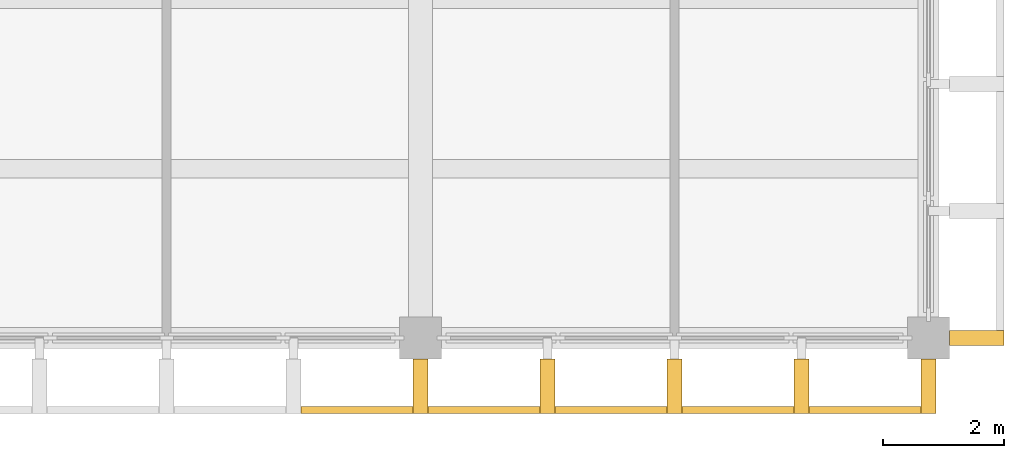
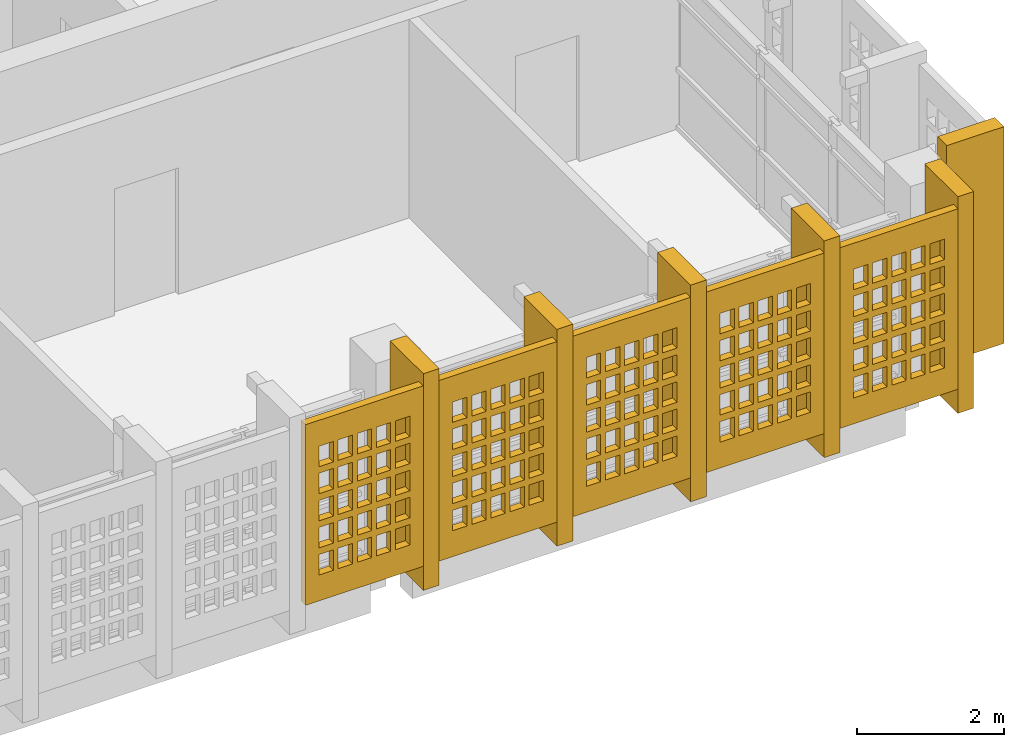
# One storey, part 8 of 13: 11 shading devices, 5 openings.
"""IFC4 building model written with IfcOpenShell, lengths in metres."""

from ifc_helpers import new_model, si_unit, direction, frame, origin, origin_2d, place, context, subcontext, project, spatial, rectangle, extrude, material, layer, layer_set, material_profile, profile_set, type_object, element, save


model = new_model("IFC4")

# Units and contexts
model_context = context("Model", 3, precision=1e-05, world=origin(), true_north=direction((0.0, 1.0)))
body_context = subcontext(model_context, "Body", "Model", "MODEL_VIEW")
ifc_project = project(units=[si_unit("LENGTHUNIT", "METRE"), si_unit("AREAUNIT", "SQUARE_METRE"), si_unit("VOLUMEUNIT", "CUBIC_METRE"), si_unit("PLANEANGLEUNIT", "RADIAN"), si_unit("MASSUNIT", "GRAM", prefix="KILO")], contexts=[model_context])

# Site, building, storey
site_placement = place(None, origin())
site = spatial("IfcSite", under=ifc_project, at=site_placement, CompositionType="ELEMENT")
building_placement = place(site_placement, origin())
building = spatial("IfcBuilding", under=site, at=building_placement, Name="Rulbaag Community and Learning Centre", CompositionType="ELEMENT")
storey_placement = place(building_placement, frame((0.0, 0.0, 54.0)))
storey = spatial("IfcBuildingStorey", under=building, at=storey_placement, Name="L14", CompositionType="ELEMENT", Elevation=54.0)

# Shading devices
ifc_material = material(Name="Concrete M40", Category="concrete")
ifc_material_profile = material_profile(ifc_material, rectangle(XDim=0.25, YDim=0.89990234375, at=origin_2d()), Name="PC 250x900")
ifc_profile_set = profile_set([ifc_material_profile], Name="Concrete M40")
shading_device_type_1 = type_object("IfcShadingDeviceType", Name="FIN-H", PredefinedType="JALOUSIE", material=ifc_profile_set)
for number, where, z_axis, x_axis, name in (
    (1, (159.60009765625, 83.199951171875, 0.0), (0.0, 0.0, 1.0), (1.0, 0.0, 0.0), "Precast fin"),
    (2, (161.699951171875, 83.199951171875, 0.0), (0.0, 0.0, 1.0), (1.0, 0.0, 0.0), "Precast fin"),
    (3, (163.800048828125, 83.199951171875, 0.0), (0.0, 0.0, 1.0), (1.0, 0.0, 0.0), "Precast fin"),
    (4, (165.89990234375, 83.199951171875, 0.0), (0.0, 0.0, 1.0), (1.0, 0.0, 0.0), "Precast fin"),
    (5, (168.0, 83.199951171875, 0.0), (0.0, 0.0, 1.0), (1.0, 0.0, 0.0), "Precast fin"),
    (6, (168.800048828125, 84.0, 0.0), (0.0, 0.0, 1.0), (0.0, 1.0, 0.0), "Precast fin"),
):
    element("IfcShadingDevice", number, at=place(storey_placement, frame(where, z_axis=z_axis, x_axis=x_axis)), inside=storey, type_object=shading_device_type_1, Name=name, PredefinedType="JALOUSIE", context=body_context, shape_type="SweptSolid", body=[
        extrude(rectangle(XDim=0.25, YDim=0.89990234375, at=origin_2d()), origin(), (0.0, 0.0, 1.0), 3.60009765625),
    ])

# Shading device, opening
ifc_layer = layer(ifc_material, 0.1201171875)
ifc_layer_set = layer_set([ifc_layer], Name="JB-83")
shading_device_type_2 = type_object("IfcShadingDeviceType", Name="JB-83", PredefinedType="SHUTTER", material=ifc_layer_set)
shading_device_1_placement = place(storey_placement, frame((158.550048828125, 82.81005859375, 0.39990234375), z_axis=(0.0, 0.0, 1.0), x_axis=(1.0, 0.0, 0.0)))
shading_device_1 = element("IfcShadingDevice", 7, at=shading_device_1_placement, inside=storey, type_object=shading_device_type_2, Name="Jaali screen", PredefinedType="SHUTTER", context=body_context, shape_type="SweptSolid", body=[
    extrude(rectangle(XDim=1.85009765625, YDim=0.1201171875, at=origin_2d()), origin(), (0.0, 0.0, 1.0), 3.0),
])
opening_1_placement = place(shading_device_1_placement, origin())
element("IfcOpeningElement", 8, at=opening_1_placement, cuts=shading_device_1, Name="Perforation JB1", PredefinedType="OPENING", context=body_context, shape_type="SweptSolid", body=[
    extrude(rectangle(XDim=0.22509765625, YDim=0.340087890625, at=origin_2d()), frame((-0.60009765625, -0.070068359375, 0.60009765625), z_axis=(0.0, 1.0, 0.0), x_axis=(1.0, 0.0, 0.0)), (0.0, 0.0, 1.0), 0.139892578125),
    extrude(rectangle(XDim=0.22509765625, YDim=0.340087890625, at=origin_2d()), frame((-0.300048828125, -0.070068359375, 0.60009765625), z_axis=(0.0, 1.0, 0.0), x_axis=(1.0, 0.0, 0.0)), (0.0, 0.0, 1.0), 0.139892578125),
    extrude(rectangle(XDim=0.22509765625, YDim=0.340087890625, at=origin_2d()), frame((0.0, -0.070068359375, 0.60009765625), z_axis=(0.0, 1.0, 0.0), x_axis=(1.0, 0.0, 0.0)), (0.0, 0.0, 1.0), 0.139892578125),
    extrude(rectangle(XDim=0.22509765625, YDim=0.340087890625, at=origin_2d()), frame((0.300048828125, -0.070068359375, 0.60009765625), z_axis=(0.0, 1.0, 0.0), x_axis=(1.0, 0.0, 0.0)), (0.0, 0.0, 1.0), 0.139892578125),
    extrude(rectangle(XDim=0.22509765625, YDim=0.340087890625, at=origin_2d()), frame((0.60009765625, -0.070068359375, 0.60009765625), z_axis=(0.0, 1.0, 0.0), x_axis=(1.0, 0.0, 0.0)), (0.0, 0.0, 1.0), 0.139892578125),
    extrude(rectangle(XDim=0.22509765625, YDim=0.340087890625, at=origin_2d()), frame((-0.60009765625, -0.070068359375, 1.050048828125), z_axis=(0.0, 1.0, 0.0), x_axis=(1.0, 0.0, 0.0)), (0.0, 0.0, 1.0), 0.139892578125),
    extrude(rectangle(XDim=0.22509765625, YDim=0.340087890625, at=origin_2d()), frame((-0.300048828125, -0.070068359375, 1.050048828125), z_axis=(0.0, 1.0, 0.0), x_axis=(1.0, 0.0, 0.0)), (0.0, 0.0, 1.0), 0.139892578125),
    extrude(rectangle(XDim=0.22509765625, YDim=0.340087890625, at=origin_2d()), frame((0.0, -0.070068359375, 1.050048828125), z_axis=(0.0, 1.0, 0.0), x_axis=(1.0, 0.0, 0.0)), (0.0, 0.0, 1.0), 0.139892578125),
    extrude(rectangle(XDim=0.22509765625, YDim=0.340087890625, at=origin_2d()), frame((0.300048828125, -0.070068359375, 1.050048828125), z_axis=(0.0, 1.0, 0.0), x_axis=(1.0, 0.0, 0.0)), (0.0, 0.0, 1.0), 0.139892578125),
    extrude(rectangle(XDim=0.22509765625, YDim=0.340087890625, at=origin_2d()), frame((0.60009765625, -0.070068359375, 1.050048828125), z_axis=(0.0, 1.0, 0.0), x_axis=(1.0, 0.0, 0.0)), (0.0, 0.0, 1.0), 0.139892578125),
    extrude(rectangle(XDim=0.22509765625, YDim=0.340087890625, at=origin_2d()), frame((-0.60009765625, -0.070068359375, 1.5), z_axis=(0.0, 1.0, 0.0), x_axis=(1.0, 0.0, 0.0)), (0.0, 0.0, 1.0), 0.139892578125),
    extrude(rectangle(XDim=0.22509765625, YDim=0.340087890625, at=origin_2d()), frame((-0.300048828125, -0.070068359375, 1.5), z_axis=(0.0, 1.0, 0.0), x_axis=(1.0, 0.0, 0.0)), (0.0, 0.0, 1.0), 0.139892578125),
    extrude(rectangle(XDim=0.22509765625, YDim=0.340087890625, at=origin_2d()), frame((0.0, -0.070068359375, 1.5), z_axis=(0.0, 1.0, 0.0), x_axis=(1.0, 0.0, 0.0)), (0.0, 0.0, 1.0), 0.139892578125),
    extrude(rectangle(XDim=0.22509765625, YDim=0.340087890625, at=origin_2d()), frame((0.300048828125, -0.070068359375, 1.5), z_axis=(0.0, 1.0, 0.0), x_axis=(1.0, 0.0, 0.0)), (0.0, 0.0, 1.0), 0.139892578125),
    extrude(rectangle(XDim=0.22509765625, YDim=0.340087890625, at=origin_2d()), frame((0.60009765625, -0.070068359375, 1.5), z_axis=(0.0, 1.0, 0.0), x_axis=(1.0, 0.0, 0.0)), (0.0, 0.0, 1.0), 0.139892578125),
    extrude(rectangle(XDim=0.22509765625, YDim=0.340087890625, at=origin_2d()), frame((-0.60009765625, -0.070068359375, 1.949951171875), z_axis=(0.0, 1.0, 0.0), x_axis=(1.0, 0.0, 0.0)), (0.0, 0.0, 1.0), 0.139892578125),
    extrude(rectangle(XDim=0.22509765625, YDim=0.340087890625, at=origin_2d()), frame((-0.300048828125, -0.070068359375, 1.949951171875), z_axis=(0.0, 1.0, 0.0), x_axis=(1.0, 0.0, 0.0)), (0.0, 0.0, 1.0), 0.139892578125),
    extrude(rectangle(XDim=0.22509765625, YDim=0.340087890625, at=origin_2d()), frame((0.0, -0.070068359375, 1.949951171875), z_axis=(0.0, 1.0, 0.0), x_axis=(1.0, 0.0, 0.0)), (0.0, 0.0, 1.0), 0.139892578125),
    extrude(rectangle(XDim=0.22509765625, YDim=0.340087890625, at=origin_2d()), frame((0.300048828125, -0.070068359375, 1.949951171875), z_axis=(0.0, 1.0, 0.0), x_axis=(1.0, 0.0, 0.0)), (0.0, 0.0, 1.0), 0.139892578125),
    extrude(rectangle(XDim=0.22509765625, YDim=0.340087890625, at=origin_2d()), frame((0.60009765625, -0.070068359375, 1.949951171875), z_axis=(0.0, 1.0, 0.0), x_axis=(1.0, 0.0, 0.0)), (0.0, 0.0, 1.0), 0.139892578125),
    extrude(rectangle(XDim=0.22509765625, YDim=0.340087890625, at=origin_2d()), frame((-0.60009765625, -0.070068359375, 2.39990234375), z_axis=(0.0, 1.0, 0.0), x_axis=(1.0, 0.0, 0.0)), (0.0, 0.0, 1.0), 0.139892578125),
    extrude(rectangle(XDim=0.22509765625, YDim=0.340087890625, at=origin_2d()), frame((-0.300048828125, -0.070068359375, 2.39990234375), z_axis=(0.0, 1.0, 0.0), x_axis=(1.0, 0.0, 0.0)), (0.0, 0.0, 1.0), 0.139892578125),
    extrude(rectangle(XDim=0.22509765625, YDim=0.340087890625, at=origin_2d()), frame((0.0, -0.070068359375, 2.39990234375), z_axis=(0.0, 1.0, 0.0), x_axis=(1.0, 0.0, 0.0)), (0.0, 0.0, 1.0), 0.139892578125),
    extrude(rectangle(XDim=0.22509765625, YDim=0.340087890625, at=origin_2d()), frame((0.300048828125, -0.070068359375, 2.39990234375), z_axis=(0.0, 1.0, 0.0), x_axis=(1.0, 0.0, 0.0)), (0.0, 0.0, 1.0), 0.139892578125),
    extrude(rectangle(XDim=0.22509765625, YDim=0.340087890625, at=origin_2d()), frame((0.60009765625, -0.070068359375, 2.39990234375), z_axis=(0.0, 1.0, 0.0), x_axis=(1.0, 0.0, 0.0)), (0.0, 0.0, 1.0), 0.139892578125),
])

shading_device_2_placement = place(storey_placement, frame((160.64990234375, 82.81005859375, 0.39990234375), z_axis=(0.0, 0.0, 1.0), x_axis=(1.0, 0.0, 0.0)))
shading_device_2 = element("IfcShadingDevice", 9, at=shading_device_2_placement, inside=storey, type_object=shading_device_type_2, Name="Jaali screen", PredefinedType="SHUTTER", context=body_context, shape_type="SweptSolid", body=[
    extrude(rectangle(XDim=1.85009765625, YDim=0.1201171875, at=origin_2d()), origin(), (0.0, 0.0, 1.0), 3.0),
])
opening_2_placement = place(shading_device_2_placement, origin())
element("IfcOpeningElement", 10, at=opening_2_placement, cuts=shading_device_2, Name="Perforation JB1", PredefinedType="OPENING", context=body_context, shape_type="SweptSolid", body=[
    extrude(rectangle(XDim=0.22509765625, YDim=0.340087890625, at=origin_2d()), frame((-0.60009765625, -0.070068359375, 0.60009765625), z_axis=(0.0, 1.0, 0.0), x_axis=(1.0, 0.0, 0.0)), (0.0, 0.0, 1.0), 0.139892578125),
    extrude(rectangle(XDim=0.22509765625, YDim=0.340087890625, at=origin_2d()), frame((-0.300048828125, -0.070068359375, 0.60009765625), z_axis=(0.0, 1.0, 0.0), x_axis=(1.0, 0.0, 0.0)), (0.0, 0.0, 1.0), 0.139892578125),
    extrude(rectangle(XDim=0.22509765625, YDim=0.340087890625, at=origin_2d()), frame((0.0, -0.070068359375, 0.60009765625), z_axis=(0.0, 1.0, 0.0), x_axis=(1.0, 0.0, 0.0)), (0.0, 0.0, 1.0), 0.139892578125),
    extrude(rectangle(XDim=0.22509765625, YDim=0.340087890625, at=origin_2d()), frame((0.300048828125, -0.070068359375, 0.60009765625), z_axis=(0.0, 1.0, 0.0), x_axis=(1.0, 0.0, 0.0)), (0.0, 0.0, 1.0), 0.139892578125),
    extrude(rectangle(XDim=0.22509765625, YDim=0.340087890625, at=origin_2d()), frame((0.60009765625, -0.070068359375, 0.60009765625), z_axis=(0.0, 1.0, 0.0), x_axis=(1.0, 0.0, 0.0)), (0.0, 0.0, 1.0), 0.139892578125),
    extrude(rectangle(XDim=0.22509765625, YDim=0.340087890625, at=origin_2d()), frame((-0.60009765625, -0.070068359375, 1.050048828125), z_axis=(0.0, 1.0, 0.0), x_axis=(1.0, 0.0, 0.0)), (0.0, 0.0, 1.0), 0.139892578125),
    extrude(rectangle(XDim=0.22509765625, YDim=0.340087890625, at=origin_2d()), frame((-0.300048828125, -0.070068359375, 1.050048828125), z_axis=(0.0, 1.0, 0.0), x_axis=(1.0, 0.0, 0.0)), (0.0, 0.0, 1.0), 0.139892578125),
    extrude(rectangle(XDim=0.22509765625, YDim=0.340087890625, at=origin_2d()), frame((0.0, -0.070068359375, 1.050048828125), z_axis=(0.0, 1.0, 0.0), x_axis=(1.0, 0.0, 0.0)), (0.0, 0.0, 1.0), 0.139892578125),
    extrude(rectangle(XDim=0.22509765625, YDim=0.340087890625, at=origin_2d()), frame((0.300048828125, -0.070068359375, 1.050048828125), z_axis=(0.0, 1.0, 0.0), x_axis=(1.0, 0.0, 0.0)), (0.0, 0.0, 1.0), 0.139892578125),
    extrude(rectangle(XDim=0.22509765625, YDim=0.340087890625, at=origin_2d()), frame((0.60009765625, -0.070068359375, 1.050048828125), z_axis=(0.0, 1.0, 0.0), x_axis=(1.0, 0.0, 0.0)), (0.0, 0.0, 1.0), 0.139892578125),
    extrude(rectangle(XDim=0.22509765625, YDim=0.340087890625, at=origin_2d()), frame((-0.60009765625, -0.070068359375, 1.5), z_axis=(0.0, 1.0, 0.0), x_axis=(1.0, 0.0, 0.0)), (0.0, 0.0, 1.0), 0.139892578125),
    extrude(rectangle(XDim=0.22509765625, YDim=0.340087890625, at=origin_2d()), frame((-0.300048828125, -0.070068359375, 1.5), z_axis=(0.0, 1.0, 0.0), x_axis=(1.0, 0.0, 0.0)), (0.0, 0.0, 1.0), 0.139892578125),
    extrude(rectangle(XDim=0.22509765625, YDim=0.340087890625, at=origin_2d()), frame((0.0, -0.070068359375, 1.5), z_axis=(0.0, 1.0, 0.0), x_axis=(1.0, 0.0, 0.0)), (0.0, 0.0, 1.0), 0.139892578125),
    extrude(rectangle(XDim=0.22509765625, YDim=0.340087890625, at=origin_2d()), frame((0.300048828125, -0.070068359375, 1.5), z_axis=(0.0, 1.0, 0.0), x_axis=(1.0, 0.0, 0.0)), (0.0, 0.0, 1.0), 0.139892578125),
    extrude(rectangle(XDim=0.22509765625, YDim=0.340087890625, at=origin_2d()), frame((0.60009765625, -0.070068359375, 1.5), z_axis=(0.0, 1.0, 0.0), x_axis=(1.0, 0.0, 0.0)), (0.0, 0.0, 1.0), 0.139892578125),
    extrude(rectangle(XDim=0.22509765625, YDim=0.340087890625, at=origin_2d()), frame((-0.60009765625, -0.070068359375, 1.949951171875), z_axis=(0.0, 1.0, 0.0), x_axis=(1.0, 0.0, 0.0)), (0.0, 0.0, 1.0), 0.139892578125),
    extrude(rectangle(XDim=0.22509765625, YDim=0.340087890625, at=origin_2d()), frame((-0.300048828125, -0.070068359375, 1.949951171875), z_axis=(0.0, 1.0, 0.0), x_axis=(1.0, 0.0, 0.0)), (0.0, 0.0, 1.0), 0.139892578125),
    extrude(rectangle(XDim=0.22509765625, YDim=0.340087890625, at=origin_2d()), frame((0.0, -0.070068359375, 1.949951171875), z_axis=(0.0, 1.0, 0.0), x_axis=(1.0, 0.0, 0.0)), (0.0, 0.0, 1.0), 0.139892578125),
    extrude(rectangle(XDim=0.22509765625, YDim=0.340087890625, at=origin_2d()), frame((0.300048828125, -0.070068359375, 1.949951171875), z_axis=(0.0, 1.0, 0.0), x_axis=(1.0, 0.0, 0.0)), (0.0, 0.0, 1.0), 0.139892578125),
    extrude(rectangle(XDim=0.22509765625, YDim=0.340087890625, at=origin_2d()), frame((0.60009765625, -0.070068359375, 1.949951171875), z_axis=(0.0, 1.0, 0.0), x_axis=(1.0, 0.0, 0.0)), (0.0, 0.0, 1.0), 0.139892578125),
    extrude(rectangle(XDim=0.22509765625, YDim=0.340087890625, at=origin_2d()), frame((-0.60009765625, -0.070068359375, 2.39990234375), z_axis=(0.0, 1.0, 0.0), x_axis=(1.0, 0.0, 0.0)), (0.0, 0.0, 1.0), 0.139892578125),
    extrude(rectangle(XDim=0.22509765625, YDim=0.340087890625, at=origin_2d()), frame((-0.300048828125, -0.070068359375, 2.39990234375), z_axis=(0.0, 1.0, 0.0), x_axis=(1.0, 0.0, 0.0)), (0.0, 0.0, 1.0), 0.139892578125),
    extrude(rectangle(XDim=0.22509765625, YDim=0.340087890625, at=origin_2d()), frame((0.0, -0.070068359375, 2.39990234375), z_axis=(0.0, 1.0, 0.0), x_axis=(1.0, 0.0, 0.0)), (0.0, 0.0, 1.0), 0.139892578125),
    extrude(rectangle(XDim=0.22509765625, YDim=0.340087890625, at=origin_2d()), frame((0.300048828125, -0.070068359375, 2.39990234375), z_axis=(0.0, 1.0, 0.0), x_axis=(1.0, 0.0, 0.0)), (0.0, 0.0, 1.0), 0.139892578125),
    extrude(rectangle(XDim=0.22509765625, YDim=0.340087890625, at=origin_2d()), frame((0.60009765625, -0.070068359375, 2.39990234375), z_axis=(0.0, 1.0, 0.0), x_axis=(1.0, 0.0, 0.0)), (0.0, 0.0, 1.0), 0.139892578125),
])

shading_device_3_placement = place(storey_placement, frame((162.75, 82.81005859375, 0.39990234375), z_axis=(0.0, 0.0, 1.0), x_axis=(1.0, 0.0, 0.0)))
shading_device_3 = element("IfcShadingDevice", 11, at=shading_device_3_placement, inside=storey, type_object=shading_device_type_2, Name="Jaali screen", PredefinedType="SHUTTER", context=body_context, shape_type="SweptSolid", body=[
    extrude(rectangle(XDim=1.85009765625, YDim=0.1201171875, at=origin_2d()), origin(), (0.0, 0.0, 1.0), 3.0),
])
opening_3_placement = place(shading_device_3_placement, origin())
element("IfcOpeningElement", 12, at=opening_3_placement, cuts=shading_device_3, Name="Perforation JB1", PredefinedType="OPENING", context=body_context, shape_type="SweptSolid", body=[
    extrude(rectangle(XDim=0.22509765625, YDim=0.340087890625, at=origin_2d()), frame((-0.60009765625, -0.070068359375, 0.60009765625), z_axis=(0.0, 1.0, 0.0), x_axis=(1.0, 0.0, 0.0)), (0.0, 0.0, 1.0), 0.139892578125),
    extrude(rectangle(XDim=0.22509765625, YDim=0.340087890625, at=origin_2d()), frame((-0.300048828125, -0.070068359375, 0.60009765625), z_axis=(0.0, 1.0, 0.0), x_axis=(1.0, 0.0, 0.0)), (0.0, 0.0, 1.0), 0.139892578125),
    extrude(rectangle(XDim=0.22509765625, YDim=0.340087890625, at=origin_2d()), frame((0.0, -0.070068359375, 0.60009765625), z_axis=(0.0, 1.0, 0.0), x_axis=(1.0, 0.0, 0.0)), (0.0, 0.0, 1.0), 0.139892578125),
    extrude(rectangle(XDim=0.22509765625, YDim=0.340087890625, at=origin_2d()), frame((0.300048828125, -0.070068359375, 0.60009765625), z_axis=(0.0, 1.0, 0.0), x_axis=(1.0, 0.0, 0.0)), (0.0, 0.0, 1.0), 0.139892578125),
    extrude(rectangle(XDim=0.22509765625, YDim=0.340087890625, at=origin_2d()), frame((0.60009765625, -0.070068359375, 0.60009765625), z_axis=(0.0, 1.0, 0.0), x_axis=(1.0, 0.0, 0.0)), (0.0, 0.0, 1.0), 0.139892578125),
    extrude(rectangle(XDim=0.22509765625, YDim=0.340087890625, at=origin_2d()), frame((-0.60009765625, -0.070068359375, 1.050048828125), z_axis=(0.0, 1.0, 0.0), x_axis=(1.0, 0.0, 0.0)), (0.0, 0.0, 1.0), 0.139892578125),
    extrude(rectangle(XDim=0.22509765625, YDim=0.340087890625, at=origin_2d()), frame((-0.300048828125, -0.070068359375, 1.050048828125), z_axis=(0.0, 1.0, 0.0), x_axis=(1.0, 0.0, 0.0)), (0.0, 0.0, 1.0), 0.139892578125),
    extrude(rectangle(XDim=0.22509765625, YDim=0.340087890625, at=origin_2d()), frame((0.0, -0.070068359375, 1.050048828125), z_axis=(0.0, 1.0, 0.0), x_axis=(1.0, 0.0, 0.0)), (0.0, 0.0, 1.0), 0.139892578125),
    extrude(rectangle(XDim=0.22509765625, YDim=0.340087890625, at=origin_2d()), frame((0.300048828125, -0.070068359375, 1.050048828125), z_axis=(0.0, 1.0, 0.0), x_axis=(1.0, 0.0, 0.0)), (0.0, 0.0, 1.0), 0.139892578125),
    extrude(rectangle(XDim=0.22509765625, YDim=0.340087890625, at=origin_2d()), frame((0.60009765625, -0.070068359375, 1.050048828125), z_axis=(0.0, 1.0, 0.0), x_axis=(1.0, 0.0, 0.0)), (0.0, 0.0, 1.0), 0.139892578125),
    extrude(rectangle(XDim=0.22509765625, YDim=0.340087890625, at=origin_2d()), frame((-0.60009765625, -0.070068359375, 1.5), z_axis=(0.0, 1.0, 0.0), x_axis=(1.0, 0.0, 0.0)), (0.0, 0.0, 1.0), 0.139892578125),
    extrude(rectangle(XDim=0.22509765625, YDim=0.340087890625, at=origin_2d()), frame((-0.300048828125, -0.070068359375, 1.5), z_axis=(0.0, 1.0, 0.0), x_axis=(1.0, 0.0, 0.0)), (0.0, 0.0, 1.0), 0.139892578125),
    extrude(rectangle(XDim=0.22509765625, YDim=0.340087890625, at=origin_2d()), frame((0.0, -0.070068359375, 1.5), z_axis=(0.0, 1.0, 0.0), x_axis=(1.0, 0.0, 0.0)), (0.0, 0.0, 1.0), 0.139892578125),
    extrude(rectangle(XDim=0.22509765625, YDim=0.340087890625, at=origin_2d()), frame((0.300048828125, -0.070068359375, 1.5), z_axis=(0.0, 1.0, 0.0), x_axis=(1.0, 0.0, 0.0)), (0.0, 0.0, 1.0), 0.139892578125),
    extrude(rectangle(XDim=0.22509765625, YDim=0.340087890625, at=origin_2d()), frame((0.60009765625, -0.070068359375, 1.5), z_axis=(0.0, 1.0, 0.0), x_axis=(1.0, 0.0, 0.0)), (0.0, 0.0, 1.0), 0.139892578125),
    extrude(rectangle(XDim=0.22509765625, YDim=0.340087890625, at=origin_2d()), frame((-0.60009765625, -0.070068359375, 1.949951171875), z_axis=(0.0, 1.0, 0.0), x_axis=(1.0, 0.0, 0.0)), (0.0, 0.0, 1.0), 0.139892578125),
    extrude(rectangle(XDim=0.22509765625, YDim=0.340087890625, at=origin_2d()), frame((-0.300048828125, -0.070068359375, 1.949951171875), z_axis=(0.0, 1.0, 0.0), x_axis=(1.0, 0.0, 0.0)), (0.0, 0.0, 1.0), 0.139892578125),
    extrude(rectangle(XDim=0.22509765625, YDim=0.340087890625, at=origin_2d()), frame((0.0, -0.070068359375, 1.949951171875), z_axis=(0.0, 1.0, 0.0), x_axis=(1.0, 0.0, 0.0)), (0.0, 0.0, 1.0), 0.139892578125),
    extrude(rectangle(XDim=0.22509765625, YDim=0.340087890625, at=origin_2d()), frame((0.300048828125, -0.070068359375, 1.949951171875), z_axis=(0.0, 1.0, 0.0), x_axis=(1.0, 0.0, 0.0)), (0.0, 0.0, 1.0), 0.139892578125),
    extrude(rectangle(XDim=0.22509765625, YDim=0.340087890625, at=origin_2d()), frame((0.60009765625, -0.070068359375, 1.949951171875), z_axis=(0.0, 1.0, 0.0), x_axis=(1.0, 0.0, 0.0)), (0.0, 0.0, 1.0), 0.139892578125),
    extrude(rectangle(XDim=0.22509765625, YDim=0.340087890625, at=origin_2d()), frame((-0.60009765625, -0.070068359375, 2.39990234375), z_axis=(0.0, 1.0, 0.0), x_axis=(1.0, 0.0, 0.0)), (0.0, 0.0, 1.0), 0.139892578125),
    extrude(rectangle(XDim=0.22509765625, YDim=0.340087890625, at=origin_2d()), frame((-0.300048828125, -0.070068359375, 2.39990234375), z_axis=(0.0, 1.0, 0.0), x_axis=(1.0, 0.0, 0.0)), (0.0, 0.0, 1.0), 0.139892578125),
    extrude(rectangle(XDim=0.22509765625, YDim=0.340087890625, at=origin_2d()), frame((0.0, -0.070068359375, 2.39990234375), z_axis=(0.0, 1.0, 0.0), x_axis=(1.0, 0.0, 0.0)), (0.0, 0.0, 1.0), 0.139892578125),
    extrude(rectangle(XDim=0.22509765625, YDim=0.340087890625, at=origin_2d()), frame((0.300048828125, -0.070068359375, 2.39990234375), z_axis=(0.0, 1.0, 0.0), x_axis=(1.0, 0.0, 0.0)), (0.0, 0.0, 1.0), 0.139892578125),
    extrude(rectangle(XDim=0.22509765625, YDim=0.340087890625, at=origin_2d()), frame((0.60009765625, -0.070068359375, 2.39990234375), z_axis=(0.0, 1.0, 0.0), x_axis=(1.0, 0.0, 0.0)), (0.0, 0.0, 1.0), 0.139892578125),
])

shading_device_4_placement = place(storey_placement, frame((164.85009765625, 82.81005859375, 0.39990234375), z_axis=(0.0, 0.0, 1.0), x_axis=(1.0, 0.0, 0.0)))
shading_device_4 = element("IfcShadingDevice", 13, at=shading_device_4_placement, inside=storey, type_object=shading_device_type_2, Name="Jaali screen", PredefinedType="SHUTTER", context=body_context, shape_type="SweptSolid", body=[
    extrude(rectangle(XDim=1.85009765625, YDim=0.1201171875, at=origin_2d()), origin(), (0.0, 0.0, 1.0), 3.0),
])
opening_4_placement = place(shading_device_4_placement, origin())
element("IfcOpeningElement", 14, at=opening_4_placement, cuts=shading_device_4, Name="Perforation JB1", PredefinedType="OPENING", context=body_context, shape_type="SweptSolid", body=[
    extrude(rectangle(XDim=0.22509765625, YDim=0.340087890625, at=origin_2d()), frame((-0.60009765625, -0.070068359375, 0.60009765625), z_axis=(0.0, 1.0, 0.0), x_axis=(1.0, 0.0, 0.0)), (0.0, 0.0, 1.0), 0.139892578125),
    extrude(rectangle(XDim=0.22509765625, YDim=0.340087890625, at=origin_2d()), frame((-0.300048828125, -0.070068359375, 0.60009765625), z_axis=(0.0, 1.0, 0.0), x_axis=(1.0, 0.0, 0.0)), (0.0, 0.0, 1.0), 0.139892578125),
    extrude(rectangle(XDim=0.22509765625, YDim=0.340087890625, at=origin_2d()), frame((0.0, -0.070068359375, 0.60009765625), z_axis=(0.0, 1.0, 0.0), x_axis=(1.0, 0.0, 0.0)), (0.0, 0.0, 1.0), 0.139892578125),
    extrude(rectangle(XDim=0.22509765625, YDim=0.340087890625, at=origin_2d()), frame((0.300048828125, -0.070068359375, 0.60009765625), z_axis=(0.0, 1.0, 0.0), x_axis=(1.0, 0.0, 0.0)), (0.0, 0.0, 1.0), 0.139892578125),
    extrude(rectangle(XDim=0.22509765625, YDim=0.340087890625, at=origin_2d()), frame((0.60009765625, -0.070068359375, 0.60009765625), z_axis=(0.0, 1.0, 0.0), x_axis=(1.0, 0.0, 0.0)), (0.0, 0.0, 1.0), 0.139892578125),
    extrude(rectangle(XDim=0.22509765625, YDim=0.340087890625, at=origin_2d()), frame((-0.60009765625, -0.070068359375, 1.050048828125), z_axis=(0.0, 1.0, 0.0), x_axis=(1.0, 0.0, 0.0)), (0.0, 0.0, 1.0), 0.139892578125),
    extrude(rectangle(XDim=0.22509765625, YDim=0.340087890625, at=origin_2d()), frame((-0.300048828125, -0.070068359375, 1.050048828125), z_axis=(0.0, 1.0, 0.0), x_axis=(1.0, 0.0, 0.0)), (0.0, 0.0, 1.0), 0.139892578125),
    extrude(rectangle(XDim=0.22509765625, YDim=0.340087890625, at=origin_2d()), frame((0.0, -0.070068359375, 1.050048828125), z_axis=(0.0, 1.0, 0.0), x_axis=(1.0, 0.0, 0.0)), (0.0, 0.0, 1.0), 0.139892578125),
    extrude(rectangle(XDim=0.22509765625, YDim=0.340087890625, at=origin_2d()), frame((0.300048828125, -0.070068359375, 1.050048828125), z_axis=(0.0, 1.0, 0.0), x_axis=(1.0, 0.0, 0.0)), (0.0, 0.0, 1.0), 0.139892578125),
    extrude(rectangle(XDim=0.22509765625, YDim=0.340087890625, at=origin_2d()), frame((0.60009765625, -0.070068359375, 1.050048828125), z_axis=(0.0, 1.0, 0.0), x_axis=(1.0, 0.0, 0.0)), (0.0, 0.0, 1.0), 0.139892578125),
    extrude(rectangle(XDim=0.22509765625, YDim=0.340087890625, at=origin_2d()), frame((-0.60009765625, -0.070068359375, 1.5), z_axis=(0.0, 1.0, 0.0), x_axis=(1.0, 0.0, 0.0)), (0.0, 0.0, 1.0), 0.139892578125),
    extrude(rectangle(XDim=0.22509765625, YDim=0.340087890625, at=origin_2d()), frame((-0.300048828125, -0.070068359375, 1.5), z_axis=(0.0, 1.0, 0.0), x_axis=(1.0, 0.0, 0.0)), (0.0, 0.0, 1.0), 0.139892578125),
    extrude(rectangle(XDim=0.22509765625, YDim=0.340087890625, at=origin_2d()), frame((0.0, -0.070068359375, 1.5), z_axis=(0.0, 1.0, 0.0), x_axis=(1.0, 0.0, 0.0)), (0.0, 0.0, 1.0), 0.139892578125),
    extrude(rectangle(XDim=0.22509765625, YDim=0.340087890625, at=origin_2d()), frame((0.300048828125, -0.070068359375, 1.5), z_axis=(0.0, 1.0, 0.0), x_axis=(1.0, 0.0, 0.0)), (0.0, 0.0, 1.0), 0.139892578125),
    extrude(rectangle(XDim=0.22509765625, YDim=0.340087890625, at=origin_2d()), frame((0.60009765625, -0.070068359375, 1.5), z_axis=(0.0, 1.0, 0.0), x_axis=(1.0, 0.0, 0.0)), (0.0, 0.0, 1.0), 0.139892578125),
    extrude(rectangle(XDim=0.22509765625, YDim=0.340087890625, at=origin_2d()), frame((-0.60009765625, -0.070068359375, 1.949951171875), z_axis=(0.0, 1.0, 0.0), x_axis=(1.0, 0.0, 0.0)), (0.0, 0.0, 1.0), 0.139892578125),
    extrude(rectangle(XDim=0.22509765625, YDim=0.340087890625, at=origin_2d()), frame((-0.300048828125, -0.070068359375, 1.949951171875), z_axis=(0.0, 1.0, 0.0), x_axis=(1.0, 0.0, 0.0)), (0.0, 0.0, 1.0), 0.139892578125),
    extrude(rectangle(XDim=0.22509765625, YDim=0.340087890625, at=origin_2d()), frame((0.0, -0.070068359375, 1.949951171875), z_axis=(0.0, 1.0, 0.0), x_axis=(1.0, 0.0, 0.0)), (0.0, 0.0, 1.0), 0.139892578125),
    extrude(rectangle(XDim=0.22509765625, YDim=0.340087890625, at=origin_2d()), frame((0.300048828125, -0.070068359375, 1.949951171875), z_axis=(0.0, 1.0, 0.0), x_axis=(1.0, 0.0, 0.0)), (0.0, 0.0, 1.0), 0.139892578125),
    extrude(rectangle(XDim=0.22509765625, YDim=0.340087890625, at=origin_2d()), frame((0.60009765625, -0.070068359375, 1.949951171875), z_axis=(0.0, 1.0, 0.0), x_axis=(1.0, 0.0, 0.0)), (0.0, 0.0, 1.0), 0.139892578125),
    extrude(rectangle(XDim=0.22509765625, YDim=0.340087890625, at=origin_2d()), frame((-0.60009765625, -0.070068359375, 2.39990234375), z_axis=(0.0, 1.0, 0.0), x_axis=(1.0, 0.0, 0.0)), (0.0, 0.0, 1.0), 0.139892578125),
    extrude(rectangle(XDim=0.22509765625, YDim=0.340087890625, at=origin_2d()), frame((-0.300048828125, -0.070068359375, 2.39990234375), z_axis=(0.0, 1.0, 0.0), x_axis=(1.0, 0.0, 0.0)), (0.0, 0.0, 1.0), 0.139892578125),
    extrude(rectangle(XDim=0.22509765625, YDim=0.340087890625, at=origin_2d()), frame((0.0, -0.070068359375, 2.39990234375), z_axis=(0.0, 1.0, 0.0), x_axis=(1.0, 0.0, 0.0)), (0.0, 0.0, 1.0), 0.139892578125),
    extrude(rectangle(XDim=0.22509765625, YDim=0.340087890625, at=origin_2d()), frame((0.300048828125, -0.070068359375, 2.39990234375), z_axis=(0.0, 1.0, 0.0), x_axis=(1.0, 0.0, 0.0)), (0.0, 0.0, 1.0), 0.139892578125),
    extrude(rectangle(XDim=0.22509765625, YDim=0.340087890625, at=origin_2d()), frame((0.60009765625, -0.070068359375, 2.39990234375), z_axis=(0.0, 1.0, 0.0), x_axis=(1.0, 0.0, 0.0)), (0.0, 0.0, 1.0), 0.139892578125),
])

shading_device_5_placement = place(storey_placement, frame((166.949951171875, 82.81005859375, 0.39990234375), z_axis=(0.0, 0.0, 1.0), x_axis=(1.0, 0.0, 0.0)))
shading_device_5 = element("IfcShadingDevice", 15, at=shading_device_5_placement, inside=storey, type_object=shading_device_type_2, Name="Jaali screen", PredefinedType="SHUTTER", context=body_context, shape_type="SweptSolid", body=[
    extrude(rectangle(XDim=1.85009765625, YDim=0.1201171875, at=origin_2d()), origin(), (0.0, 0.0, 1.0), 3.0),
])
opening_5_placement = place(shading_device_5_placement, origin())
element("IfcOpeningElement", 16, at=opening_5_placement, cuts=shading_device_5, Name="Perforation JB1", PredefinedType="OPENING", context=body_context, shape_type="SweptSolid", body=[
    extrude(rectangle(XDim=0.22509765625, YDim=0.340087890625, at=origin_2d()), frame((-0.60009765625, -0.070068359375, 0.60009765625), z_axis=(0.0, 1.0, 0.0), x_axis=(1.0, 0.0, 0.0)), (0.0, 0.0, 1.0), 0.139892578125),
    extrude(rectangle(XDim=0.22509765625, YDim=0.340087890625, at=origin_2d()), frame((-0.300048828125, -0.070068359375, 0.60009765625), z_axis=(0.0, 1.0, 0.0), x_axis=(1.0, 0.0, 0.0)), (0.0, 0.0, 1.0), 0.139892578125),
    extrude(rectangle(XDim=0.22509765625, YDim=0.340087890625, at=origin_2d()), frame((0.0, -0.070068359375, 0.60009765625), z_axis=(0.0, 1.0, 0.0), x_axis=(1.0, 0.0, 0.0)), (0.0, 0.0, 1.0), 0.139892578125),
    extrude(rectangle(XDim=0.22509765625, YDim=0.340087890625, at=origin_2d()), frame((0.300048828125, -0.070068359375, 0.60009765625), z_axis=(0.0, 1.0, 0.0), x_axis=(1.0, 0.0, 0.0)), (0.0, 0.0, 1.0), 0.139892578125),
    extrude(rectangle(XDim=0.22509765625, YDim=0.340087890625, at=origin_2d()), frame((0.60009765625, -0.070068359375, 0.60009765625), z_axis=(0.0, 1.0, 0.0), x_axis=(1.0, 0.0, 0.0)), (0.0, 0.0, 1.0), 0.139892578125),
    extrude(rectangle(XDim=0.22509765625, YDim=0.340087890625, at=origin_2d()), frame((-0.60009765625, -0.070068359375, 1.050048828125), z_axis=(0.0, 1.0, 0.0), x_axis=(1.0, 0.0, 0.0)), (0.0, 0.0, 1.0), 0.139892578125),
    extrude(rectangle(XDim=0.22509765625, YDim=0.340087890625, at=origin_2d()), frame((-0.300048828125, -0.070068359375, 1.050048828125), z_axis=(0.0, 1.0, 0.0), x_axis=(1.0, 0.0, 0.0)), (0.0, 0.0, 1.0), 0.139892578125),
    extrude(rectangle(XDim=0.22509765625, YDim=0.340087890625, at=origin_2d()), frame((0.0, -0.070068359375, 1.050048828125), z_axis=(0.0, 1.0, 0.0), x_axis=(1.0, 0.0, 0.0)), (0.0, 0.0, 1.0), 0.139892578125),
    extrude(rectangle(XDim=0.22509765625, YDim=0.340087890625, at=origin_2d()), frame((0.300048828125, -0.070068359375, 1.050048828125), z_axis=(0.0, 1.0, 0.0), x_axis=(1.0, 0.0, 0.0)), (0.0, 0.0, 1.0), 0.139892578125),
    extrude(rectangle(XDim=0.22509765625, YDim=0.340087890625, at=origin_2d()), frame((0.60009765625, -0.070068359375, 1.050048828125), z_axis=(0.0, 1.0, 0.0), x_axis=(1.0, 0.0, 0.0)), (0.0, 0.0, 1.0), 0.139892578125),
    extrude(rectangle(XDim=0.22509765625, YDim=0.340087890625, at=origin_2d()), frame((-0.60009765625, -0.070068359375, 1.5), z_axis=(0.0, 1.0, 0.0), x_axis=(1.0, 0.0, 0.0)), (0.0, 0.0, 1.0), 0.139892578125),
    extrude(rectangle(XDim=0.22509765625, YDim=0.340087890625, at=origin_2d()), frame((-0.300048828125, -0.070068359375, 1.5), z_axis=(0.0, 1.0, 0.0), x_axis=(1.0, 0.0, 0.0)), (0.0, 0.0, 1.0), 0.139892578125),
    extrude(rectangle(XDim=0.22509765625, YDim=0.340087890625, at=origin_2d()), frame((0.0, -0.070068359375, 1.5), z_axis=(0.0, 1.0, 0.0), x_axis=(1.0, 0.0, 0.0)), (0.0, 0.0, 1.0), 0.139892578125),
    extrude(rectangle(XDim=0.22509765625, YDim=0.340087890625, at=origin_2d()), frame((0.300048828125, -0.070068359375, 1.5), z_axis=(0.0, 1.0, 0.0), x_axis=(1.0, 0.0, 0.0)), (0.0, 0.0, 1.0), 0.139892578125),
    extrude(rectangle(XDim=0.22509765625, YDim=0.340087890625, at=origin_2d()), frame((0.60009765625, -0.070068359375, 1.5), z_axis=(0.0, 1.0, 0.0), x_axis=(1.0, 0.0, 0.0)), (0.0, 0.0, 1.0), 0.139892578125),
    extrude(rectangle(XDim=0.22509765625, YDim=0.340087890625, at=origin_2d()), frame((-0.60009765625, -0.070068359375, 1.949951171875), z_axis=(0.0, 1.0, 0.0), x_axis=(1.0, 0.0, 0.0)), (0.0, 0.0, 1.0), 0.139892578125),
    extrude(rectangle(XDim=0.22509765625, YDim=0.340087890625, at=origin_2d()), frame((-0.300048828125, -0.070068359375, 1.949951171875), z_axis=(0.0, 1.0, 0.0), x_axis=(1.0, 0.0, 0.0)), (0.0, 0.0, 1.0), 0.139892578125),
    extrude(rectangle(XDim=0.22509765625, YDim=0.340087890625, at=origin_2d()), frame((0.0, -0.070068359375, 1.949951171875), z_axis=(0.0, 1.0, 0.0), x_axis=(1.0, 0.0, 0.0)), (0.0, 0.0, 1.0), 0.139892578125),
    extrude(rectangle(XDim=0.22509765625, YDim=0.340087890625, at=origin_2d()), frame((0.300048828125, -0.070068359375, 1.949951171875), z_axis=(0.0, 1.0, 0.0), x_axis=(1.0, 0.0, 0.0)), (0.0, 0.0, 1.0), 0.139892578125),
    extrude(rectangle(XDim=0.22509765625, YDim=0.340087890625, at=origin_2d()), frame((0.60009765625, -0.070068359375, 1.949951171875), z_axis=(0.0, 1.0, 0.0), x_axis=(1.0, 0.0, 0.0)), (0.0, 0.0, 1.0), 0.139892578125),
    extrude(rectangle(XDim=0.22509765625, YDim=0.340087890625, at=origin_2d()), frame((-0.60009765625, -0.070068359375, 2.39990234375), z_axis=(0.0, 1.0, 0.0), x_axis=(1.0, 0.0, 0.0)), (0.0, 0.0, 1.0), 0.139892578125),
    extrude(rectangle(XDim=0.22509765625, YDim=0.340087890625, at=origin_2d()), frame((-0.300048828125, -0.070068359375, 2.39990234375), z_axis=(0.0, 1.0, 0.0), x_axis=(1.0, 0.0, 0.0)), (0.0, 0.0, 1.0), 0.139892578125),
    extrude(rectangle(XDim=0.22509765625, YDim=0.340087890625, at=origin_2d()), frame((0.0, -0.070068359375, 2.39990234375), z_axis=(0.0, 1.0, 0.0), x_axis=(1.0, 0.0, 0.0)), (0.0, 0.0, 1.0), 0.139892578125),
    extrude(rectangle(XDim=0.22509765625, YDim=0.340087890625, at=origin_2d()), frame((0.300048828125, -0.070068359375, 2.39990234375), z_axis=(0.0, 1.0, 0.0), x_axis=(1.0, 0.0, 0.0)), (0.0, 0.0, 1.0), 0.139892578125),
    extrude(rectangle(XDim=0.22509765625, YDim=0.340087890625, at=origin_2d()), frame((0.60009765625, -0.070068359375, 2.39990234375), z_axis=(0.0, 1.0, 0.0), x_axis=(1.0, 0.0, 0.0)), (0.0, 0.0, 1.0), 0.139892578125),
])

save(model, "model.ifc")
